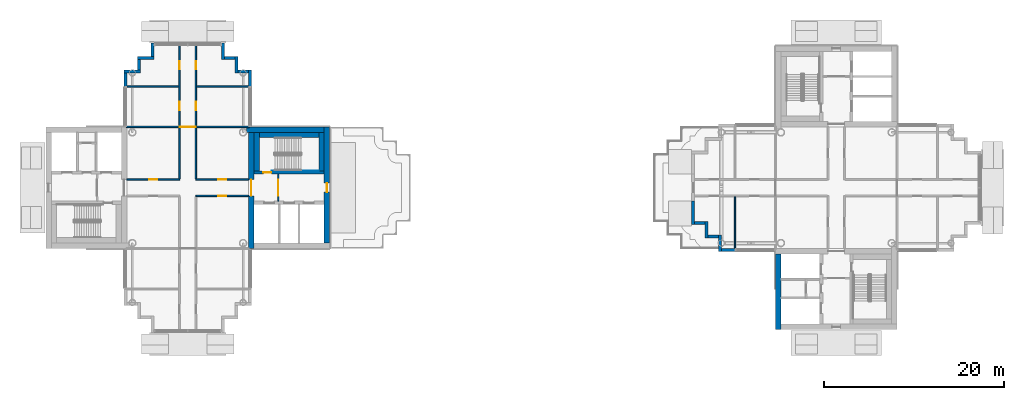
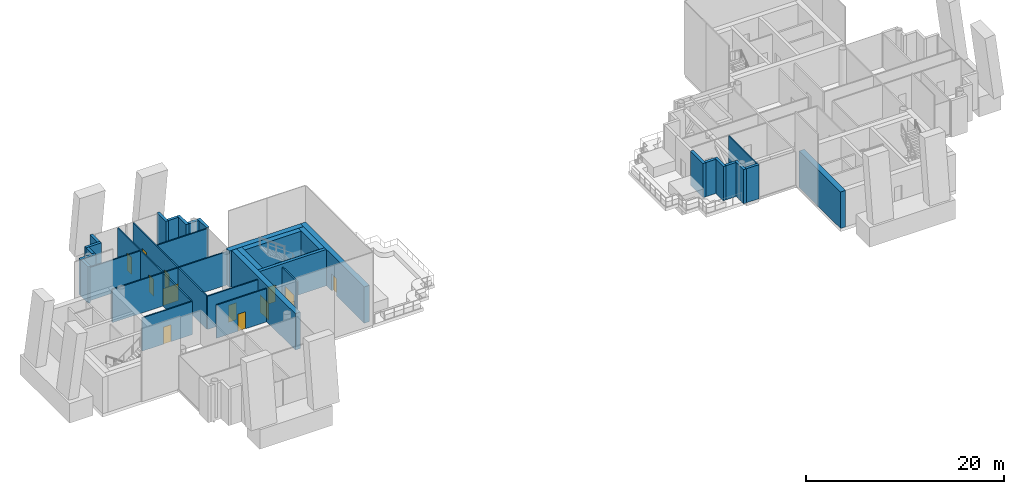
# One storey, part 8 of 16: 37 walls, 12 doors, 12 openings.
"""IFC4 building model written with IfcOpenShell, lengths in metres."""

import ifcopenshell
import ifcopenshell.guid

model = None  # the IFC model being written
_history = None  # IfcOwnerHistory: only IFC2X3 demands one
_inside = {}  # id of a spatial element -> (the spatial element, [elements in it])
_under = {}  # id of a project, library or spatial element -> (it, [spatial elements below it])
_declared = {}  # id of a project -> (the project, [libraries it declares])
_typed = {}  # id of a type object -> (the type object, [elements of that type])
_made_of = {}  # id of a material, layer set ... -> (it, [elements and type objects made of it])


def new_model(schema):
    """Start an empty IFC model of exactly this schema.

    Asked for "IFC4X3", IfcOpenShell would pick the latest addendum, in which some entities
    have other attributes; the version numbers below select the first issue.
    IFC2X3 requires an IfcOwnerHistory on every rooted entity: one is made here for all.
    """
    global model, _history
    if schema == "IFC4X3":
        model = ifcopenshell.file(schema_version=(4, 3, 0, 0))
    else:
        model = ifcopenshell.file(schema=schema)
    _inside.clear()
    _under.clear()
    _declared.clear()
    _typed.clear()
    _made_of.clear()
    _history = None
    if model.schema == "IFC2X3":
        org = make("IfcOrganization", Name="unknown")
        user = make(
            "IfcPersonAndOrganization",
            ThePerson=make("IfcPerson", FamilyName="unknown"),
            TheOrganization=org,
        )
        app = make(
            "IfcApplication",
            ApplicationDeveloper=org,
            Version="unknown",
            ApplicationFullName="unknown",
            ApplicationIdentifier="unknown",
        )
        _history = make(
            "IfcOwnerHistory",
            OwningUser=user,
            OwningApplication=app,
            ChangeAction="ADDED",
            CreationDate=0,
        )
    return model


def make(cls, **values):
    """One entity of the class cls with the attributes given. An attribute that is None is left unset."""
    return model.create_entity(
        cls, **{name: value for name, value in values.items() if value is not None}
    )


def rooted(cls, **values):
    """An entity with a GlobalId (a new one), such as an element, a storey or a relation."""
    return make(cls, GlobalId=ifcopenshell.guid.new(), OwnerHistory=_history, **values)


def si_unit(unit_type, name, prefix=None):
    """IfcSIUnit, for example si_unit("LENGTHUNIT", "METRE", prefix="MILLI")."""
    return make("IfcSIUnit", UnitType=unit_type, Prefix=prefix, Name=name)


def assignment(units):
    """IfcUnitAssignment: the units of a project."""
    return None if units is None else make("IfcUnitAssignment", Units=units)


def point(xyz):
    """IfcCartesianPoint."""
    return None if xyz is None else make("IfcCartesianPoint", Coordinates=xyz)


def direction(xyz):
    """IfcDirection."""
    return None if xyz is None else make("IfcDirection", DirectionRatios=xyz)


def frame(location, z_axis=None, x_axis=None):
    """IfcAxis2Placement3D, a coordinate frame: its origin and axes. An axis left out is left unset."""
    return make(
        "IfcAxis2Placement3D",
        Location=point(location),
        Axis=direction(z_axis),
        RefDirection=direction(x_axis),
    )


def frame_2d(location, x_axis=None):
    """IfcAxis2Placement2D, a coordinate frame in the plane: its origin and x axis."""
    return make(
        "IfcAxis2Placement2D", Location=point(location), RefDirection=direction(x_axis)
    )


def origin():
    """The frame at (0, 0, 0) with its axes left unset."""
    return frame((0.0, 0.0, 0.0))


def place(relative_to, where):
    """IfcLocalPlacement: puts the frame where relative to a parent placement (None: the world)."""
    return make(
        "IfcLocalPlacement", PlacementRelTo=relative_to, RelativePlacement=where
    )


def context(
    kind, dimensions, precision=None, world=None, true_north=None, identifier=None
):
    """IfcGeometricRepresentationContext, for example the 3D "Model" context."""
    return make(
        "IfcGeometricRepresentationContext",
        ContextIdentifier=identifier,
        ContextType=kind,
        CoordinateSpaceDimension=dimensions,
        Precision=precision,
        WorldCoordinateSystem=world,
        TrueNorth=true_north,
    )


def subcontext(parent, identifier, kind, view, scale=None):
    """IfcGeometricRepresentationSubContext, for example "Body" below "Model"."""
    return make(
        "IfcGeometricRepresentationSubContext",
        ContextIdentifier=identifier,
        ContextType=kind,
        ParentContext=parent,
        TargetScale=scale,
        TargetView=view,
    )


def project(units=None, contexts=None):
    """IfcProject with its units and contexts."""
    return rooted(
        "IfcProject",
        Name="project",
        RepresentationContexts=contexts,
        UnitsInContext=assignment(units),
    )


def spatial(cls, under=None, at=None, **own):
    """A site, building, storey or space (cls), placed at a placement, below another one or the project."""
    s = rooted(cls, ObjectPlacement=at, **own)
    if under is not None:
        _under.setdefault(under.id(), (under, []))[1].append(s)
    return s


def profile(cls, at=None, kind="AREA", **sizes):
    """A parametric profile (cls). Its sizes go by their IFC names, for example OverallWidth=200.0."""
    return make(cls, ProfileType=kind, Position=at, **sizes)


def rectangle(**sizes):
    """IfcRectangleProfileDef."""
    return profile("IfcRectangleProfileDef", **sizes)


def extrude(swept, where, along, depth):
    """IfcExtrudedAreaSolid: the profile swept, set in the frame where, extruded along a direction by depth."""
    return make(
        "IfcExtrudedAreaSolid",
        SweptArea=swept,
        Position=where,
        ExtrudedDirection=direction(along),
        Depth=depth,
    )


def shape(context_of_items, identifier, shape_type, items):
    """IfcShapeRepresentation: the items that make up one representation, for example the "Body"."""
    return make(
        "IfcShapeRepresentation",
        ContextOfItems=context_of_items,
        RepresentationIdentifier=identifier,
        RepresentationType=shape_type,
        Items=items,
    )


def material(Name=None, Category=None):
    """IfcMaterial."""
    return make("IfcMaterial", Name=Name, Category=Category)


def layer(
    of_material, thickness, ventilated=None, Name=None, Category=None, Priority=None
):
    """IfcMaterialLayer: one layer of a wall or slab, of a material (None: an air gap)."""
    return make(
        "IfcMaterialLayer",
        Material=of_material,
        LayerThickness=thickness,
        IsVentilated=ventilated,
        Name=Name,
        Category=Category,
        Priority=Priority,
    )


def layer_set(layers, Name=None):
    """IfcMaterialLayerSet."""
    return make("IfcMaterialLayerSet", MaterialLayers=layers, LayerSetName=Name)


def made_of(thing, what):
    """Note that an element or type object is made of a material, layer set ...; save() writes the relation."""
    if what is not None:
        _made_of.setdefault(what.id(), (what, []))[1].append(thing)
    return thing


def type_object(cls, material=None, **own):
    """A type object (cls), such as IfcWallType, which elements share."""
    return made_of(rooted(cls, **own), material)


def element(
    cls,
    number,
    at=None,
    inside=None,
    cuts=None,
    type_object=None,
    material=None,
    context=None,
    identifier="Body",
    shape_type=None,
    held_by="IfcProductDefinitionShape",
    body=None,
    shapes=None,
    **own,
):
    """One element of the class cls, such as IfcWall. Its Tag is "e" and its number.

    at: its placement. inside: the storey or other place that contains it. cuts: it is an
    opening in that element (IfcRelVoidsElement). A single representation is given by context,
    identifier, shape_type and body (its items); several are given by shapes. held_by: the class
    of the entity that holds the representations. save() writes the other relations.
    """
    e = rooted(cls, Tag="e%d" % number, ObjectPlacement=at, **own)
    if body is not None:
        shapes = [shape(context, identifier, shape_type, body)]
    if shapes is not None:
        e.Representation = make(held_by, Representations=shapes)
    if inside is not None:
        _inside.setdefault(inside.id(), (inside, []))[1].append(e)
    if cuts is not None:
        rooted(
            "IfcRelVoidsElement", RelatingBuildingElement=cuts, RelatedOpeningElement=e
        )
    if type_object is not None:
        _typed.setdefault(type_object.id(), (type_object, []))[1].append(e)
    return made_of(e, material)


def fill(opening, filler):
    """IfcRelFillsElement: the door or window that sits in an opening."""
    return rooted(
        "IfcRelFillsElement",
        RelatingOpeningElement=opening,
        RelatedBuildingElement=filler,
    )


def aggregate(whole, parts):
    """IfcRelAggregates: a whole, such as a stair, and the parts it consists of."""
    return rooted("IfcRelAggregates", RelatingObject=whole, RelatedObjects=parts)


def save(model, path):
    """Write the relations noted so far, then the file.

    IfcRelAggregates (storeys below a building ...), IfcRelContainedInSpatialStructure (elements
    in a storey), IfcRelDefinesByType, IfcRelAssociatesMaterial and IfcRelDeclares: one each for
    every whole, place, type object, material and project.
    """
    for whole, parts in _under.values():
        aggregate(whole, parts)
    for where, things in _inside.values():
        rooted(
            "IfcRelContainedInSpatialStructure",
            RelatedElements=things,
            RelatingStructure=where,
        )
    for kind, things in _typed.values():
        rooted("IfcRelDefinesByType", RelatedObjects=things, RelatingType=kind)
    for what, things in _made_of.values():
        rooted("IfcRelAssociatesMaterial", RelatedObjects=things, RelatingMaterial=what)
    for by, libraries in _declared.values():
        rooted("IfcRelDeclares", RelatingContext=by, RelatedDefinitions=libraries)
    model.write(path)


model = new_model("IFC4")

# Units and contexts
model_context = context("Model", 3, precision=1e-05, world=origin(), true_north=direction((0.0, 1.0)))
body_context = subcontext(model_context, "Body", "Model", "MODEL_VIEW")
ifc_project = project(units=[si_unit("LENGTHUNIT", "METRE"), si_unit("AREAUNIT", "SQUARE_METRE"), si_unit("VOLUMEUNIT", "CUBIC_METRE"), si_unit("PLANEANGLEUNIT", "RADIAN"), si_unit("MASSUNIT", "GRAM", prefix="KILO")], contexts=[model_context])

# Site, building, storey
site_placement = place(None, origin())
site = spatial("IfcSite", under=ifc_project, at=site_placement, CompositionType="ELEMENT")
building_placement = place(site_placement, origin())
building = spatial("IfcBuilding", under=site, at=building_placement, Name="Ipe Terrace Towers", CompositionType="ELEMENT")
storey_placement = place(building_placement, frame((0.0, 0.0, 233.39990234375)))
storey = spatial("IfcBuildingStorey", under=building, at=storey_placement, Name="L65", CompositionType="ELEMENT", Elevation=233.39990234375)

# Walls
ifc_material_1 = material(Name="Concrete C40/50 with buff precast cladding", Category="concrete")
ifc_layer_1 = layer(ifc_material_1, 0.320068359375)
ifc_layer_set_1 = layer_set([ifc_layer_1], Name="BUFF CLADDING WALL 320")
wall_type_1 = type_object("IfcWallType", Name="BUFF CLADDING WALL 320", PredefinedType="STANDARD", material=ifc_layer_set_1)
wall_1_placement = place(storey_placement, frame((-29.090087890625, 11.25, -0.2998046875), z_axis=(0.0, 0.0, 1.0), x_axis=(0.0, 1.0, 0.0)))
element("IfcWall", 1, at=wall_1_placement, inside=storey, type_object=wall_type_1, Name="T1-W-L65-21a wall", PredefinedType="STANDARD", context=body_context, shape_type="SweptSolid", body=[
    extrude(rectangle(XDim=1.820068359375, YDim=0.320068359375, at=frame_2d((0.91015625, 0.0))), origin(), (0.0, 0.0, 1.0), 4.5),
])
wall_2_placement = place(storey_placement, frame((-29.25, 12.909912109375, -0.2998046875), z_axis=(0.0, 0.0, 1.0), x_axis=(-1.0, 0.0, 0.0)))
element("IfcWall", 2, at=wall_2_placement, inside=storey, type_object=wall_type_1, Name="T1-W-L65-22a wall", PredefinedType="STANDARD", context=body_context, shape_type="SweptSolid", body=[
    extrude(rectangle(XDim=1.179931640625, YDim=0.320068359375, at=frame_2d((0.58984375, 0.0))), origin(), (0.0, 0.0, 1.0), 4.5),
])
wall_3_placement = place(storey_placement, frame((-30.590087890625, 12.75, -0.2998046875), z_axis=(0.0, 0.0, 1.0), x_axis=(0.0, 1.0, 0.0)))
element("IfcWall", 3, at=wall_3_placement, inside=storey, type_object=wall_type_1, Name="T1-W-L65-23a wall", PredefinedType="STANDARD", context=body_context, shape_type="SweptSolid", body=[
    extrude(rectangle(XDim=1.820068359375, YDim=0.320068359375, at=frame_2d((0.91015625, 0.0))), origin(), (0.0, 0.0, 1.0), 4.5),
])
wall_4_placement = place(storey_placement, frame((-30.75, 14.409912109375, -0.2998046875), z_axis=(0.0, 0.0, 1.0), x_axis=(-1.0, 0.0, 0.0)))
element("IfcWall", 4, at=wall_4_placement, inside=storey, type_object=wall_type_1, Name="T1-W-L65-24a wall", PredefinedType="STANDARD", context=body_context, shape_type="SweptSolid", body=[
    extrude(rectangle(XDim=1.179931640625, YDim=0.320068359375, at=frame_2d((0.58984375, 0.0))), origin(), (0.0, 0.0, 1.0), 4.5),
])
wall_5_placement = place(storey_placement, frame((-32.090087890625, 14.25, -0.2998046875), z_axis=(0.0, 0.0, 1.0), x_axis=(0.0, 1.0, 0.0)))
element("IfcWall", 5, at=wall_5_placement, inside=storey, type_object=wall_type_1, Name="T1-W-L65-25a wall", PredefinedType="STANDARD", context=body_context, shape_type="SweptSolid", body=[
    extrude(rectangle(XDim=1.820068359375, YDim=0.320068359375, at=frame_2d((0.91015625, 0.0))), origin(), (0.0, 0.0, 1.0), 4.5),
])
wall_6_placement = place(storey_placement, frame((-39.909912109375, 16.070068359375, -0.2998046875), z_axis=(0.0, 0.0, 1.0), x_axis=(0.0, -1.0, 0.0)))
element("IfcWall", 6, at=wall_6_placement, inside=storey, type_object=wall_type_1, Name="T1-W-L65-27a wall", PredefinedType="STANDARD", context=body_context, shape_type="SweptSolid", body=[
    extrude(rectangle(XDim=1.5, YDim=0.320068359375, at=frame_2d((0.75, 0.0))), origin(), (0.0, 0.0, 1.0), 4.5),
])
wall_7_placement = place(storey_placement, frame((-39.75, 14.409912109375, -0.2998046875), z_axis=(0.0, 0.0, 1.0), x_axis=(-1.0, 0.0, 0.0)))
element("IfcWall", 7, at=wall_7_placement, inside=storey, type_object=wall_type_1, Name="T1-W-L65-28a wall", PredefinedType="STANDARD", context=body_context, shape_type="SweptSolid", body=[
    extrude(rectangle(XDim=1.820068359375, YDim=0.320068359375, at=frame_2d((0.91015625, 0.0))), origin(), (0.0, 0.0, 1.0), 4.5),
])
wall_8_placement = place(storey_placement, frame((-41.409912109375, 14.25, -0.2998046875), z_axis=(0.0, 0.0, 1.0), x_axis=(0.0, -1.0, 0.0)))
element("IfcWall", 8, at=wall_8_placement, inside=storey, type_object=wall_type_1, Name="T1-W-L65-29a wall", PredefinedType="STANDARD", context=body_context, shape_type="SweptSolid", body=[
    extrude(rectangle(XDim=1.179931640625, YDim=0.320068359375, at=frame_2d((0.58984375, 0.0))), origin(), (0.0, 0.0, 1.0), 4.5),
])
wall_9_placement = place(storey_placement, frame((-41.25, 12.909912109375, -0.2998046875), z_axis=(0.0, 0.0, 1.0), x_axis=(-1.0, 0.0, 0.0)))
element("IfcWall", 9, at=wall_9_placement, inside=storey, type_object=wall_type_1, Name="T1-W-L65-30a wall", PredefinedType="STANDARD", context=body_context, shape_type="SweptSolid", body=[
    extrude(rectangle(XDim=1.820068359375, YDim=0.320068359375, at=frame_2d((0.91015625, 0.0))), origin(), (0.0, 0.0, 1.0), 4.5),
])
wall_10_placement = place(storey_placement, frame((-42.909912109375, 12.75, -0.2998046875), z_axis=(0.0, 0.0, 1.0), x_axis=(0.0, -1.0, 0.0)))
element("IfcWall", 10, at=wall_10_placement, inside=storey, type_object=wall_type_1, Name="T1-W-L65-31a wall", PredefinedType="STANDARD", context=body_context, shape_type="SweptSolid", body=[
    extrude(rectangle(XDim=1.5, YDim=0.320068359375, at=frame_2d((0.75, 0.0))), origin(), (0.0, 0.0, 1.0), 4.5),
])
wall_11_placement = place(storey_placement, frame((20.090087890625, -1.5, -0.02001953125), z_axis=(0.0, 0.0, 1.0), x_axis=(0.0, -1.0, 0.0)))
element("IfcWall", 11, at=wall_11_placement, inside=storey, type_object=wall_type_1, Name="T2-W-L65-26c wall", PredefinedType="STANDARD", context=body_context, shape_type="SweptSolid", body=[
    extrude(rectangle(XDim=2.570068359375, YDim=0.320068359375, at=frame_2d((1.28515625, 0.0))), origin(), (0.0, 0.0, 1.0), 4.22021484375),
])
wall_12_placement = place(storey_placement, frame((20.25, -3.909912109375, -0.02001953125), z_axis=(0.0, 0.0, 1.0), x_axis=(1.0, 0.0, 0.0)))
element("IfcWall", 12, at=wall_12_placement, inside=storey, type_object=wall_type_1, Name="T2-W-L65-27a wall", PredefinedType="STANDARD", context=body_context, shape_type="SweptSolid", body=[
    extrude(rectangle(XDim=1.179931640625, YDim=0.320068359375, at=frame_2d((0.58984375, 0.0))), origin(), (0.0, 0.0, 1.0), 4.22021484375),
])
wall_13_placement = place(storey_placement, frame((21.590087890625, -3.75, -0.02001953125), z_axis=(0.0, 0.0, 1.0), x_axis=(0.0, -1.0, 0.0)))
element("IfcWall", 13, at=wall_13_placement, inside=storey, type_object=wall_type_1, Name="T2-W-L65-28a wall", PredefinedType="STANDARD", context=body_context, shape_type="SweptSolid", body=[
    extrude(rectangle(XDim=1.820068359375, YDim=0.320068359375, at=frame_2d((0.91015625, 0.0))), origin(), (0.0, 0.0, 1.0), 4.22021484375),
])
wall_14_placement = place(storey_placement, frame((21.75, -5.409912109375, -0.02001953125), z_axis=(0.0, 0.0, 1.0), x_axis=(1.0, 0.0, 0.0)))
element("IfcWall", 14, at=wall_14_placement, inside=storey, type_object=wall_type_1, Name="T2-W-L65-29a wall", PredefinedType="STANDARD", context=body_context, shape_type="SweptSolid", body=[
    extrude(rectangle(XDim=1.179931640625, YDim=0.320068359375, at=frame_2d((0.58984375, 0.0))), origin(), (0.0, 0.0, 1.0), 4.22021484375),
])
wall_15_placement = place(storey_placement, frame((23.090087890625, -5.25, -0.02001953125), z_axis=(0.0, 0.0, 1.0), x_axis=(0.0, -1.0, 0.0)))
element("IfcWall", 15, at=wall_15_placement, inside=storey, type_object=wall_type_1, Name="T2-W-L65-30a wall", PredefinedType="STANDARD", context=body_context, shape_type="SweptSolid", body=[
    extrude(rectangle(XDim=1.820068359375, YDim=0.320068359375, at=frame_2d((0.91015625, 0.0))), origin(), (0.0, 0.0, 1.0), 4.22021484375),
])
wall_16_placement = place(storey_placement, frame((23.25, -6.909912109375, 0.0), z_axis=(0.0, 0.0, 1.0), x_axis=(1.0, 0.0, 0.0)))
element("IfcWall", 16, at=wall_16_placement, inside=storey, type_object=wall_type_1, Name="T2-W-L65-31a wall", PredefinedType="STANDARD", context=body_context, shape_type="SweptSolid", body=[
    extrude(rectangle(XDim=1.5, YDim=0.320068359375, at=frame_2d((0.75, 0.0))), origin(), (0.0, 0.0, 1.0), 4.2001953125),
])

# Wall, opening, door
ifc_material_2 = material(Name="Gypsum board partition", Category="plasterboard")
ifc_layer_2 = layer(ifc_material_2, 0.14990234375)
ifc_layer_set_2 = layer_set([ifc_layer_2], Name="Gypsum board partition 150 mm")
wall_type_2 = type_object("IfcWallType", Name="Gypsum board partition 150 mm", PredefinedType="PARTITIONING", material=ifc_layer_set_2)
wall_17_placement = place(storey_placement, frame((-25.949951171875, -1.5, 0.0), z_axis=(0.0, 0.0, 1.0), x_axis=(0.0, 1.0, 0.0)))
wall_17 = element("IfcWall", 17, at=wall_17_placement, inside=storey, type_object=wall_type_2, Name="Gypsum board partition T1 L65 t1c1-lobby-wall", PredefinedType="PARTITIONING", context=body_context, shape_type="SweptSolid", body=[
    extrude(rectangle(XDim=3.0, YDim=0.14990234375, at=frame_2d((1.5, 0.0))), origin(), (0.0, 0.0, 1.0), 4.10009765625),
])
opening_1_placement = place(wall_17_placement, frame((0.60009765625, 0.0, 0.0)))
opening_1 = element("IfcOpeningElement", 18, at=opening_1_placement, cuts=wall_17, Name="Opening T1C1-VD", PredefinedType="OPENING", context=body_context, shape_type="SweptSolid", body=[
    extrude(rectangle(XDim=1.800048828125, YDim=2.10009765625, at=frame_2d((0.89990234375, 1.050048828125))), frame((0.0, 0.0849609375, 0.0), z_axis=(0.0, -1.0, 0.0), x_axis=(1.0, 0.0, 0.0)), (0.0, 0.0, 1.0), 0.169921875),
])
ifc_material_3 = material(Name="Fire-rated timber door leaf", Category="wood")
door_type_1 = type_object("IfcDoorType", Name="Lobby door 1800 x 2100 FD60", OperationType="NOTDEFINED", PredefinedType="DOOR", material=ifc_material_3)
door_1_placement = place(opening_1_placement, origin())
door_1 = element("IfcDoor", 19, at=door_1_placement, inside=storey, type_object=door_type_1, Name="Lobby door T1C1-VD", OperationType="SINGLE_SWING_LEFT", OverallHeight=2.10009765625, OverallWidth=1.800048828125, PredefinedType="DOOR", context=body_context, shape_type="SweptSolid", body=[
    extrude(rectangle(XDim=1.800048828125, YDim=2.10009765625, at=frame_2d((0.89990234375, 1.050048828125))), frame((0.0, 0.02490234375, 0.0), z_axis=(0.0, -1.0, 0.0), x_axis=(1.0, 0.0, 0.0)), (0.0, 0.0, 1.0), 0.050048828125),
])
fill(opening_1, door_1)

wall_18_placement = place(storey_placement, frame((-35.10009765625, 0.89990234375, 0.0), z_axis=(0.0, 0.0, 1.0), x_axis=(1.0, 0.0, 0.0)))
wall_18 = element("IfcWall", 20, at=wall_18_placement, inside=storey, type_object=wall_type_2, Name="Gypsum board partition T1 L65 sp-hub-qen-x", PredefinedType="PARTITIONING", context=body_context, shape_type="SweptSolid", body=[
    extrude(rectangle(XDim=5.85009765625, YDim=0.14990234375, at=frame_2d((2.925048828125, 0.0))), origin(), (0.0, 0.0, 1.0), 4.10009765625),
])
opening_2_placement = place(wall_18_placement, frame((2.47509765625, 0.0, 0.0)))
opening_2 = element("IfcOpeningElement", 21, at=opening_2_placement, cuts=wall_18, Name="Opening T1-SP-HEN-FD60", PredefinedType="OPENING", context=body_context, shape_type="SweptSolid", body=[
    extrude(rectangle(XDim=0.89990234375, YDim=2.10009765625, at=frame_2d((0.449951171875, 1.050048828125))), frame((0.0, 0.0849609375, 0.0), z_axis=(0.0, -1.0, 0.0), x_axis=(1.0, 0.0, 0.0)), (0.0, 0.0, 1.0), 0.169921875),
])
ifc_material_4 = material(Name="Fire-rated timber door leaf", Category="wood")
door_type_2 = type_object("IfcDoorType", Name="Service door 900 x 2100 FD60", OperationType="NOTDEFINED", PredefinedType="DOOR", material=ifc_material_4)
door_2_placement = place(opening_2_placement, origin())
door_2 = element("IfcDoor", 22, at=door_2_placement, inside=storey, type_object=door_type_2, Name="Service door T1-SP-HEN-FD60", OperationType="SINGLE_SWING_LEFT", OverallHeight=2.10009765625, OverallWidth=0.89990234375, PredefinedType="DOOR", context=body_context, shape_type="SweptSolid", body=[
    extrude(rectangle(XDim=0.89990234375, YDim=2.10009765625, at=frame_2d((0.449951171875, 1.050048828125))), frame((0.0, 0.02490234375, 0.0), z_axis=(0.0, -1.0, 0.0), x_axis=(1.0, 0.0, 0.0)), (0.0, 0.0, 1.0), 0.050048828125),
])
fill(opening_2, door_2)

# Wall
wall_19_placement = place(storey_placement, frame((-35.10009765625, 0.97509765625, 0.0), z_axis=(0.0, 0.0, 1.0), x_axis=(0.0, 1.0, 0.0)))
element("IfcWall", 23, at=wall_19_placement, inside=storey, type_object=wall_type_2, Name="Gypsum board partition T1 L65 sp-hub-qen-y", PredefinedType="PARTITIONING", context=body_context, shape_type="SweptSolid", body=[
    extrude(rectangle(XDim=5.699951171875, YDim=0.14990234375, at=frame_2d((2.85009765625, 0.0))), origin(), (0.0, 0.0, 1.0), 4.10009765625),
])

# Wall, opening, door
wall_20_placement = place(storey_placement, frame((-35.10009765625, -0.89990234375, 0.0), z_axis=(0.0, 0.0, 1.0), x_axis=(1.0, 0.0, 0.0)))
wall_20 = element("IfcWall", 24, at=wall_20_placement, inside=storey, type_object=wall_type_2, Name="Gypsum board partition T1 L65 sp-hub-qes-x", PredefinedType="PARTITIONING", context=body_context, shape_type="SweptSolid", body=[
    extrude(rectangle(XDim=5.85009765625, YDim=0.14990234375, at=frame_2d((2.925048828125, 0.0))), origin(), (0.0, 0.0, 1.0), 4.10009765625),
])
opening_3_placement = place(wall_20_placement, frame((2.47509765625, 0.0, 0.0)))
opening_3 = element("IfcOpeningElement", 25, at=opening_3_placement, cuts=wall_20, Name="Opening T1-SP-HES-FD60", PredefinedType="OPENING", context=body_context, shape_type="SweptSolid", body=[
    extrude(rectangle(XDim=0.89990234375, YDim=2.10009765625, at=frame_2d((0.449951171875, 1.050048828125))), frame((0.0, 0.0849609375, 0.0), z_axis=(0.0, -1.0, 0.0), x_axis=(1.0, 0.0, 0.0)), (0.0, 0.0, 1.0), 0.169921875),
])
door_3_placement = place(opening_3_placement, origin())
door_3 = element("IfcDoor", 26, at=door_3_placement, inside=storey, type_object=door_type_2, Name="Service door T1-SP-HES-FD60", OperationType="SINGLE_SWING_RIGHT", OverallHeight=2.10009765625, OverallWidth=0.89990234375, PredefinedType="DOOR", context=body_context, shape_type="SweptSolid", body=[
    extrude(rectangle(XDim=0.89990234375, YDim=2.10009765625, at=frame_2d((0.449951171875, 1.050048828125))), frame((0.0, 0.02490234375, 0.0), z_axis=(0.0, -1.0, 0.0), x_axis=(1.0, 0.0, 0.0)), (0.0, 0.0, 1.0), 0.050048828125),
])
fill(opening_3, door_3)

wall_21_placement = place(storey_placement, frame((-42.75, 0.89990234375, 0.0), z_axis=(0.0, 0.0, 1.0), x_axis=(1.0, 0.0, 0.0)))
wall_21 = element("IfcWall", 27, at=wall_21_placement, inside=storey, type_object=wall_type_2, Name="Gypsum board partition T1 L65 sp-hub-qwn-x", PredefinedType="PARTITIONING", context=body_context, shape_type="SweptSolid", body=[
    extrude(rectangle(XDim=5.85009765625, YDim=0.14990234375, at=frame_2d((2.925048828125, 0.0))), origin(), (0.0, 0.0, 1.0), 4.10009765625),
])
opening_4_placement = place(wall_21_placement, frame((2.47509765625, 0.0, 0.0)))
opening_4 = element("IfcOpeningElement", 28, at=opening_4_placement, cuts=wall_21, Name="Opening T1-SP-HWN-FD60", PredefinedType="OPENING", context=body_context, shape_type="SweptSolid", body=[
    extrude(rectangle(XDim=0.89990234375, YDim=2.10009765625, at=frame_2d((0.449951171875, 1.050048828125))), frame((0.0, 0.0849609375, 0.0), z_axis=(0.0, -1.0, 0.0), x_axis=(1.0, 0.0, 0.0)), (0.0, 0.0, 1.0), 0.169921875),
])
door_4_placement = place(opening_4_placement, origin())
door_4 = element("IfcDoor", 29, at=door_4_placement, inside=storey, type_object=door_type_2, Name="Service door T1-SP-HWN-FD60", OperationType="SINGLE_SWING_LEFT", OverallHeight=2.10009765625, OverallWidth=0.89990234375, PredefinedType="DOOR", context=body_context, shape_type="SweptSolid", body=[
    extrude(rectangle(XDim=0.89990234375, YDim=2.10009765625, at=frame_2d((0.449951171875, 1.050048828125))), frame((0.0, 0.02490234375, 0.0), z_axis=(0.0, -1.0, 0.0), x_axis=(1.0, 0.0, 0.0)), (0.0, 0.0, 1.0), 0.050048828125),
])
fill(opening_4, door_4)

# Wall
wall_22_placement = place(storey_placement, frame((-36.89990234375, 0.97509765625, 0.0), z_axis=(0.0, 0.0, 1.0), x_axis=(0.0, 1.0, 0.0)))
element("IfcWall", 30, at=wall_22_placement, inside=storey, type_object=wall_type_2, Name="Gypsum board partition T1 L65 sp-hub-qwn-y", PredefinedType="PARTITIONING", context=body_context, shape_type="SweptSolid", body=[
    extrude(rectangle(XDim=5.699951171875, YDim=0.14990234375, at=frame_2d((2.85009765625, 0.0))), origin(), (0.0, 0.0, 1.0), 4.10009765625),
])

# Wall, opening, door
wall_23_placement = place(storey_placement, frame((-42.85009765625, 6.75, 0.0), z_axis=(0.0, 0.0, 1.0), x_axis=(1.0, 0.0, 0.0)))
wall_23 = element("IfcWall", 31, at=wall_23_placement, inside=storey, type_object=wall_type_2, Name="Gypsum board partition T1 L65 sp-Sp-mouth", PredefinedType="PARTITIONING", context=body_context, shape_type="SweptSolid", body=[
    extrude(rectangle(XDim=13.7001953125, YDim=0.14990234375, at=frame_2d((6.85009765625, 0.0))), origin(), (0.0, 0.0, 1.0), 4.10009765625),
])
opening_5_placement = place(wall_23_placement, frame((5.949951171875, 0.0, 0.0)))
opening_5 = element("IfcOpeningElement", 32, at=opening_5_placement, cuts=wall_23, Name="Opening T1-SP-MSp", PredefinedType="OPENING", context=body_context, shape_type="SweptSolid", body=[
    extrude(rectangle(XDim=1.800048828125, YDim=2.10009765625, at=frame_2d((0.89990234375, 1.050048828125))), frame((0.0, 0.0849609375, 0.0), z_axis=(0.0, -1.0, 0.0), x_axis=(1.0, 0.0, 0.0)), (0.0, 0.0, 1.0), 0.169921875),
])
ifc_material_5 = material(Name="Fire-rated timber door leaf", Category="wood")
door_type_3 = type_object("IfcDoorType", Name="Lobby door 1800 x 2100 FD30S", OperationType="NOTDEFINED", PredefinedType="DOOR", material=ifc_material_5)
door_5_placement = place(opening_5_placement, origin())
door_5 = element("IfcDoor", 33, at=door_5_placement, inside=storey, type_object=door_type_3, Name="Lobby door T1-SP-MSp", OperationType="SINGLE_SWING_LEFT", OverallHeight=2.10009765625, OverallWidth=1.800048828125, PredefinedType="DOOR", context=body_context, shape_type="SweptSolid", body=[
    extrude(rectangle(XDim=1.800048828125, YDim=2.10009765625, at=frame_2d((0.89990234375, 1.050048828125))), frame((0.0, 0.02490234375, 0.0), z_axis=(0.0, -1.0, 0.0), x_axis=(1.0, 0.0, 0.0)), (0.0, 0.0, 1.0), 0.050048828125),
])
fill(opening_5, door_5)

# Wall, openings, doors
wall_24_placement = place(storey_placement, frame((-35.10009765625, 6.824951171875, 0.0), z_axis=(0.0, 0.0, 1.0), x_axis=(0.0, 1.0, 0.0)))
wall_24 = element("IfcWall", 34, at=wall_24_placement, inside=storey, type_object=wall_type_2, Name="Gypsum board partition T1 L65 sp-Sp-wp", PredefinedType="PARTITIONING", context=body_context, shape_type="SweptSolid", body=[
    extrude(rectangle(XDim=9.025146484375, YDim=0.14990234375, at=frame_2d((4.5126953125, 0.0))), origin(), (0.0, 0.0, 1.0), 4.10009765625),
])
opening_6_placement = place(wall_24_placement, frame((1.800048828125, 0.0, 0.0)))
opening_6 = element("IfcOpeningElement", 35, at=opening_6_placement, cuts=wall_24, Name="Opening T1-SP-PSp1-FD60", PredefinedType="OPENING", context=body_context, shape_type="SweptSolid", body=[
    extrude(rectangle(XDim=0.89990234375, YDim=2.10009765625, at=frame_2d((0.449951171875, 1.050048828125))), frame((0.0, 0.0849609375, 0.0), z_axis=(0.0, -1.0, 0.0), x_axis=(1.0, 0.0, 0.0)), (0.0, 0.0, 1.0), 0.169921875),
])
opening_7_placement = place(wall_24_placement, frame((6.300048828125, 0.0, 0.0)))
opening_7 = element("IfcOpeningElement", 36, at=opening_7_placement, cuts=wall_24, Name="Opening T1-SP-PSp2-FD60", PredefinedType="OPENING", context=body_context, shape_type="SweptSolid", body=[
    extrude(rectangle(XDim=0.89990234375, YDim=2.10009765625, at=frame_2d((0.449951171875, 1.050048828125))), frame((0.0, 0.0849609375, 0.0), z_axis=(0.0, -1.0, 0.0), x_axis=(1.0, 0.0, 0.0)), (0.0, 0.0, 1.0), 0.169921875),
])
door_6_placement = place(opening_6_placement, origin())
door_6 = element("IfcDoor", 37, at=door_6_placement, inside=storey, type_object=door_type_2, Name="Service door T1-SP-PSp1-FD60", OperationType="SINGLE_SWING_LEFT", OverallHeight=2.10009765625, OverallWidth=0.89990234375, PredefinedType="DOOR", context=body_context, shape_type="SweptSolid", body=[
    extrude(rectangle(XDim=0.89990234375, YDim=2.10009765625, at=frame_2d((0.449951171875, 1.050048828125))), frame((0.0, 0.02490234375, 0.0), z_axis=(0.0, -1.0, 0.0), x_axis=(1.0, 0.0, 0.0)), (0.0, 0.0, 1.0), 0.050048828125),
])
fill(opening_6, door_6)
door_7_placement = place(opening_7_placement, origin())
door_7 = element("IfcDoor", 38, at=door_7_placement, inside=storey, type_object=door_type_2, Name="Service door T1-SP-PSp2-FD60", OperationType="SINGLE_SWING_RIGHT", OverallHeight=2.10009765625, OverallWidth=0.89990234375, PredefinedType="DOOR", context=body_context, shape_type="SweptSolid", body=[
    extrude(rectangle(XDim=0.89990234375, YDim=2.10009765625, at=frame_2d((0.449951171875, 1.050048828125))), frame((0.0, 0.02490234375, 0.0), z_axis=(0.0, -1.0, 0.0), x_axis=(1.0, 0.0, 0.0)), (0.0, 0.0, 1.0), 0.050048828125),
])
fill(opening_7, door_7)

# Wall
wall_25_placement = place(storey_placement, frame((-35.02490234375, 11.25, 0.0), z_axis=(0.0, 0.0, 1.0), x_axis=(1.0, 0.0, 0.0)))
element("IfcWall", 39, at=wall_25_placement, inside=storey, type_object=wall_type_2, Name="Gypsum board partition T1 L65 sp-Sp-dp1", PredefinedType="PARTITIONING", context=body_context, shape_type="SweptSolid", body=[
    extrude(rectangle(XDim=5.875, YDim=0.14990234375, at=frame_2d((2.9375, 0.0))), origin(), (0.0, 0.0, 1.0), 4.10009765625),
])

# Wall, openings, doors
wall_26_placement = place(storey_placement, frame((-36.89990234375, 6.824951171875, 0.0), z_axis=(0.0, 0.0, 1.0), x_axis=(0.0, 1.0, 0.0)))
wall_26 = element("IfcWall", 40, at=wall_26_placement, inside=storey, type_object=wall_type_2, Name="Gypsum board partition T1 L65 sp-Sp-wm", PredefinedType="PARTITIONING", context=body_context, shape_type="SweptSolid", body=[
    extrude(rectangle(XDim=9.025146484375, YDim=0.14990234375, at=frame_2d((4.5126953125, 0.0))), origin(), (0.0, 0.0, 1.0), 4.10009765625),
])
opening_8_placement = place(wall_26_placement, frame((1.800048828125, 0.0, 0.0)))
opening_8 = element("IfcOpeningElement", 41, at=opening_8_placement, cuts=wall_26, Name="Opening T1-SP-MSp1-FD60", PredefinedType="OPENING", context=body_context, shape_type="SweptSolid", body=[
    extrude(rectangle(XDim=0.89990234375, YDim=2.10009765625, at=frame_2d((0.449951171875, 1.050048828125))), frame((0.0, 0.0849609375, 0.0), z_axis=(0.0, -1.0, 0.0), x_axis=(1.0, 0.0, 0.0)), (0.0, 0.0, 1.0), 0.169921875),
])
opening_9_placement = place(wall_26_placement, frame((6.300048828125, 0.0, 0.0)))
opening_9 = element("IfcOpeningElement", 42, at=opening_9_placement, cuts=wall_26, Name="Opening T1-SP-MSp2-FD60", PredefinedType="OPENING", context=body_context, shape_type="SweptSolid", body=[
    extrude(rectangle(XDim=0.89990234375, YDim=2.10009765625, at=frame_2d((0.449951171875, 1.050048828125))), frame((0.0, 0.0849609375, 0.0), z_axis=(0.0, -1.0, 0.0), x_axis=(1.0, 0.0, 0.0)), (0.0, 0.0, 1.0), 0.169921875),
])
door_8_placement = place(opening_8_placement, origin())
door_8 = element("IfcDoor", 43, at=door_8_placement, inside=storey, type_object=door_type_2, Name="Service door T1-SP-MSp1-FD60", OperationType="SINGLE_SWING_RIGHT", OverallHeight=2.10009765625, OverallWidth=0.89990234375, PredefinedType="DOOR", context=body_context, shape_type="SweptSolid", body=[
    extrude(rectangle(XDim=0.89990234375, YDim=2.10009765625, at=frame_2d((0.449951171875, 1.050048828125))), frame((0.0, 0.02490234375, 0.0), z_axis=(0.0, -1.0, 0.0), x_axis=(1.0, 0.0, 0.0)), (0.0, 0.0, 1.0), 0.050048828125),
])
fill(opening_8, door_8)
door_9_placement = place(opening_9_placement, origin())
door_9 = element("IfcDoor", 44, at=door_9_placement, inside=storey, type_object=door_type_2, Name="Service door T1-SP-MSp2-FD60", OperationType="SINGLE_SWING_LEFT", OverallHeight=2.10009765625, OverallWidth=0.89990234375, PredefinedType="DOOR", context=body_context, shape_type="SweptSolid", body=[
    extrude(rectangle(XDim=0.89990234375, YDim=2.10009765625, at=frame_2d((0.449951171875, 1.050048828125))), frame((0.0, 0.02490234375, 0.0), z_axis=(0.0, -1.0, 0.0), x_axis=(1.0, 0.0, 0.0)), (0.0, 0.0, 1.0), 0.050048828125),
])
fill(opening_9, door_9)

# Walls
for number, where, z_axis, x_axis, name in (
    (45, (-36.97509765625, 11.25, 0.0), (0.0, 0.0, 1.0), (-1.0, 0.0, 0.0), "Gypsum board partition T1 L65 sp-Sp-dm1"),
    (46, (24.75, -0.97509765625, 0.0), (0.0, 0.0, 1.0), (0.0, -1.0, 0.0), "Gypsum board partition T2 L65 sp-Sp-dm1"),
):
    element("IfcWall", number, at=place(storey_placement, frame(where, z_axis=z_axis, x_axis=x_axis)), inside=storey, type_object=wall_type_2, Name=name, PredefinedType="PARTITIONING", context=body_context, shape_type="SweptSolid", body=[
        extrude(rectangle(XDim=5.875, YDim=0.14990234375, at=frame_2d((2.9375, 0.0))), origin(), (0.0, 0.0, 1.0), 4.10009765625),
    ])

# Wall, opening, door
ifc_material_6 = material(Name="Concrete C40/50", Category="concrete")
ifc_layer_3 = layer(ifc_material_6, 0.35009765625)
ifc_layer_set_3 = layer_set([ifc_layer_3], Name="RW350 CORE SPINE WALL 350 C40-50")
wall_type_3 = type_object("IfcWallType", Name="RW350 CORE SPINE WALL 350 C40-50", PredefinedType="SHEAR", material=ifc_layer_set_3)
wall_27_placement = place(storey_placement, frame((-28.64990234375, 1.675048828125, 0.0), z_axis=(0.0, 0.0, 1.0), x_axis=(1.0, 0.0, 0.0)))
wall_27 = element("IfcWall", 47, at=wall_27_placement, inside=storey, type_object=wall_type_3, Name="Core spine wall T1-C1-Z4-SW2", PredefinedType="SHEAR", context=body_context, shape_type="SweptSolid", body=[
    extrude(rectangle(XDim=7.7998046875, YDim=0.35009765625, at=frame_2d((3.89990234375, 0.0))), origin(), (0.0, 0.0, 1.0), 4.5),
])
opening_10_placement = place(wall_27_placement, frame((1.050048828125, 0.0, 0.0)))
opening_10 = element("IfcOpeningElement", 48, at=opening_10_placement, cuts=wall_27, Name="Opening T1C1-SD", PredefinedType="OPENING", context=body_context, shape_type="SweptSolid", body=[
    extrude(rectangle(XDim=0.89990234375, YDim=2.10009765625, at=frame_2d((0.449951171875, 1.050048828125))), frame((0.0, 0.18505859375, 0.0), z_axis=(0.0, -1.0, 0.0), x_axis=(1.0, 0.0, 0.0)), (0.0, 0.0, 1.0), 0.3701171875),
])
ifc_material_7 = material(Name="Fire-rated timber door leaf", Category="wood")
door_type_4 = type_object("IfcDoorType", Name="Stair door 900 x 2100 FD60", OperationType="NOTDEFINED", PredefinedType="DOOR", material=ifc_material_7)
door_10_placement = place(opening_10_placement, origin())
door_10 = element("IfcDoor", 49, at=door_10_placement, inside=storey, type_object=door_type_4, Name="Stair door T1C1-SD", OperationType="SINGLE_SWING_LEFT", OverallHeight=2.10009765625, OverallWidth=0.89990234375, PredefinedType="DOOR", context=body_context, shape_type="SweptSolid", body=[
    extrude(rectangle(XDim=0.89990234375, YDim=2.10009765625, at=frame_2d((0.449951171875, 1.050048828125))), frame((0.0, 0.02490234375, 0.0), z_axis=(0.0, -1.0, 0.0), x_axis=(1.0, 0.0, 0.0)), (0.0, 0.0, 1.0), 0.050048828125),
])
fill(opening_10, door_10)

# Walls
ifc_material_8 = material(Name="Concrete C40/50", Category="concrete")
ifc_layer_4 = layer(ifc_material_8, 0.050048828125)
ifc_layer_set_4 = layer_set([ifc_layer_4], Name="RW50 CORE INFILL WALL 50 C40-50")
wall_type_4 = type_object("IfcWallType", Name="RW50 CORE INFILL WALL 50 C40-50", PredefinedType="SHEAR", material=ifc_layer_set_4)
wall_28_placement = place(storey_placement, frame((-26.64990234375, 1.875, 0.0), z_axis=(0.0, 0.0, 1.0), x_axis=(1.0, 0.0, 0.0)))
element("IfcWall", 50, at=wall_28_placement, inside=storey, type_object=wall_type_4, Name="Core infill wall T1-C1-spine-b", PredefinedType="SHEAR", context=body_context, shape_type="SweptSolid", body=[
    extrude(rectangle(XDim=5.199951171875, YDim=0.050048828125, at=frame_2d((2.60009765625, 0.0))), origin(), (0.0, 0.0, 1.0), 4.5),
])
ifc_material_9 = material(Name="Concrete C40/50", Category="concrete")
ifc_layer_5 = layer(ifc_material_9, 0.60009765625)
ifc_layer_set_5 = layer_set([ifc_layer_5], Name="RW600 CORE INFILL WALL 600 C40-50")
wall_type_5 = type_object("IfcWallType", Name="RW600 CORE INFILL WALL 600 C40-50", PredefinedType="SHEAR", material=ifc_layer_set_5)
wall_29_placement = place(storey_placement, frame((-21.14990234375, 1.85009765625, 0.0), z_axis=(0.0, 0.0, 1.0), x_axis=(0.0, 1.0, 0.0)))
element("IfcWall", 51, at=wall_29_placement, inside=storey, type_object=wall_type_5, Name="Core infill wall T1-C1-far", PredefinedType="SHEAR", context=body_context, shape_type="SweptSolid", body=[
    extrude(rectangle(XDim=4.2998046875, YDim=0.60009765625, at=frame_2d((2.14990234375, 0.0))), origin(), (0.0, 0.0, 1.0), 4.5),
])
wall_30_placement = place(storey_placement, frame((-28.050048828125, 5.85009765625, 0.0), z_axis=(0.0, 0.0, 1.0), x_axis=(1.0, 0.0, 0.0)))
element("IfcWall", 52, at=wall_30_placement, inside=storey, type_object=wall_type_5, Name="Core infill wall T1-C1-back", PredefinedType="SHEAR", context=body_context, shape_type="SweptSolid", body=[
    extrude(rectangle(XDim=6.60009765625, YDim=0.60009765625, at=frame_2d((3.300048828125, 0.0))), origin(), (0.0, 0.0, 1.0), 4.5),
])
wall_31_placement = place(storey_placement, frame((-28.35009765625, 1.85009765625, 0.0), z_axis=(0.0, 0.0, 1.0), x_axis=(0.0, 1.0, 0.0)))
element("IfcWall", 53, at=wall_31_placement, inside=storey, type_object=wall_type_5, Name="Core infill wall T1-C1-near", PredefinedType="SHEAR", context=body_context, shape_type="SweptSolid", body=[
    extrude(rectangle(XDim=4.2998046875, YDim=0.60009765625, at=frame_2d((2.14990234375, 0.0))), origin(), (0.0, 0.0, 1.0), 4.5),
])

# Wall, opening, door
ifc_material_10 = material(Name="Concrete C40/50", Category="concrete")
ifc_layer_6 = layer(ifc_material_10, 0.60009765625)
ifc_layer_set_6 = layer_set([ifc_layer_6], Name="RW600 CORE WALL 600 C40-50")
wall_type_6 = type_object("IfcWallType", Name="RW600 CORE WALL 600 C40-50", PredefinedType="SHEAR", material=ifc_layer_set_6)
wall_32_placement = place(storey_placement, frame((-20.550048828125, -6.14990234375, 0.0), z_axis=(0.0, 0.0, 1.0), x_axis=(0.0, 1.0, 0.0)))
wall_32 = element("IfcWall", 54, at=wall_32_placement, inside=storey, type_object=wall_type_6, Name="Core wall T1-C1-Z4-W02", PredefinedType="SHEAR", context=body_context, shape_type="SweptSolid", body=[
    extrude(rectangle(XDim=12.89990234375, YDim=0.60009765625, at=frame_2d((6.449951171875, 0.0))), origin(), (0.0, 0.0, 1.0), 4.5),
])
opening_11_placement = place(wall_32_placement, frame((5.64990234375, 0.0, 0.0)))
opening_11 = element("IfcOpeningElement", 55, at=opening_11_placement, cuts=wall_32, Name="Opening T1-C1-D-L65", PredefinedType="OPENING", context=body_context, shape_type="SweptSolid", body=[
    extrude(rectangle(XDim=1.0, YDim=2.10009765625, at=frame_2d((0.5, 1.050048828125))), frame((0.0, 0.31005859375, 0.0), z_axis=(0.0, -1.0, 0.0), x_axis=(1.0, 0.0, 0.0)), (0.0, 0.0, 1.0), 0.6201171875),
])
ifc_material_11 = material(Name="Aluminium alloy 6063-T6 framed glazed door", Category="aluminium")
door_type_5 = type_object("IfcDoorType", Name="TERRACE DOOR 1000 x 2100", OperationType="SINGLE_SWING_LEFT", PredefinedType="DOOR", material=ifc_material_11)
door_11_placement = place(opening_11_placement, origin())
door_11 = element("IfcDoor", 56, at=door_11_placement, inside=storey, type_object=door_type_5, Name="DT1 door", OperationType="SINGLE_SWING_LEFT", OverallHeight=2.10009765625, OverallWidth=1.0, PredefinedType="DOOR", context=body_context, shape_type="SweptSolid", body=[
    extrude(rectangle(XDim=1.0, YDim=2.10009765625, at=frame_2d((0.5, 1.050048828125))), frame((0.0, 0.02490234375, 0.0), z_axis=(0.0, -1.0, 0.0), x_axis=(1.0, 0.0, 0.0)), (0.0, 0.0, 1.0), 0.050048828125),
])
fill(opening_11, door_11)

# Wall
wall_33_placement = place(storey_placement, frame((-20.85009765625, 6.449951171875, 0.0), z_axis=(0.0, 0.0, 1.0), x_axis=(-1.0, 0.0, 0.0)))
element("IfcWall", 57, at=wall_33_placement, inside=storey, type_object=wall_type_6, Name="Core wall T1-C1-Z4-W03", PredefinedType="SHEAR", context=body_context, shape_type="SweptSolid", body=[
    extrude(rectangle(XDim=8.64794921875, YDim=0.60009765625, at=frame_2d((4.323974609375, 0.0))), origin(), (0.0, 0.0, 1.0), 4.5),
])

# Wall, opening, door
wall_34_placement = place(storey_placement, frame((-28.949951171875, 6.14990234375, 0.0), z_axis=(0.0, 0.0, 1.0), x_axis=(0.0, -1.0, 0.0)))
wall_34 = element("IfcWall", 58, at=wall_34_placement, inside=storey, type_object=wall_type_6, Name="Core wall T1-C1-Z4-W04", PredefinedType="SHEAR", context=body_context, shape_type="SweptSolid", body=[
    extrude(rectangle(XDim=12.89990234375, YDim=0.60009765625, at=frame_2d((6.449951171875, 0.0))), origin(), (0.0, 0.0, 1.0), 4.5),
])
opening_12_placement = place(wall_34_placement, frame((5.25, 0.0, 0.0)))
opening_12 = element("IfcOpeningElement", 59, at=opening_12_placement, cuts=wall_34, Name="Opening T1C1-ND", PredefinedType="OPENING", context=body_context, shape_type="SweptSolid", body=[
    extrude(rectangle(XDim=1.800048828125, YDim=2.10009765625, at=frame_2d((0.89990234375, 1.050048828125))), frame((0.0, 0.31005859375, 0.0), z_axis=(0.0, -1.0, 0.0), x_axis=(1.0, 0.0, 0.0)), (0.0, 0.0, 1.0), 0.6201171875),
])
ifc_material_12 = material(Name="Fire-rated timber door leaf", Category="wood")
door_type_6 = type_object("IfcDoorType", Name="Fire door 1800 x 2100 FD30S", OperationType="NOTDEFINED", PredefinedType="DOOR", material=ifc_material_12)
door_12_placement = place(opening_12_placement, origin())
door_12 = element("IfcDoor", 60, at=door_12_placement, inside=storey, type_object=door_type_6, Name="Fire door T1C1-ND", OperationType="SINGLE_SWING_LEFT", OverallHeight=2.10009765625, OverallWidth=1.800048828125, PredefinedType="DOOR", context=body_context, shape_type="SweptSolid", body=[
    extrude(rectangle(XDim=1.800048828125, YDim=2.10009765625, at=frame_2d((0.89990234375, 1.050048828125))), frame((0.0, 0.02490234375, 0.0), z_axis=(0.0, -1.0, 0.0), x_axis=(1.0, 0.0, 0.0)), (0.0, 0.0, 1.0), 0.050048828125),
])
fill(opening_12, door_12)

# Wall
wall_35_placement = place(storey_placement, frame((29.550048828125, -7.35009765625, 0.0), z_axis=(0.0, 0.0, 1.0), x_axis=(0.0, -1.0, 0.0)))
element("IfcWall", 61, at=wall_35_placement, inside=storey, type_object=wall_type_6, Name="Core wall T2-C2-Z4-W04", PredefinedType="SHEAR", context=body_context, shape_type="SweptSolid", body=[
    extrude(rectangle(XDim=8.39990234375, YDim=0.60009765625, at=frame_2d((4.199951171875, 0.0))), origin(), (0.0, 0.0, 1.0), 4.5),
])

save(model, "model.ifc")
